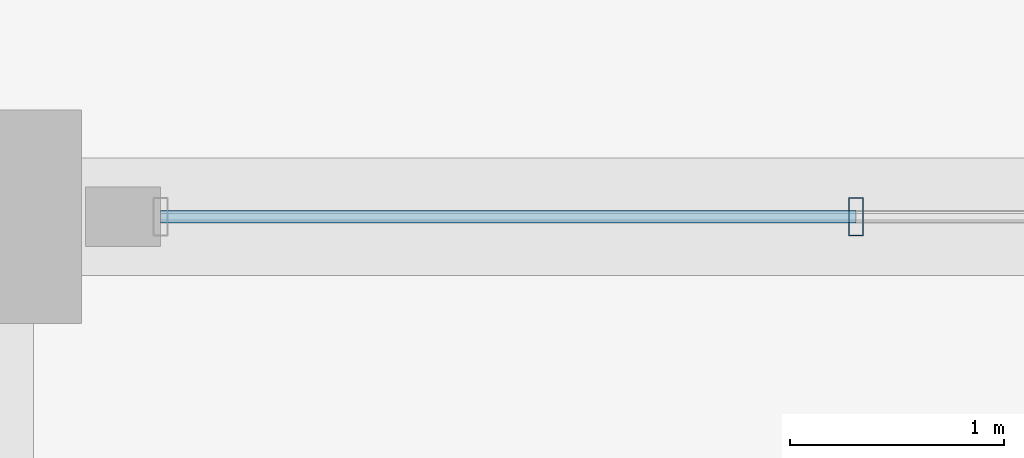
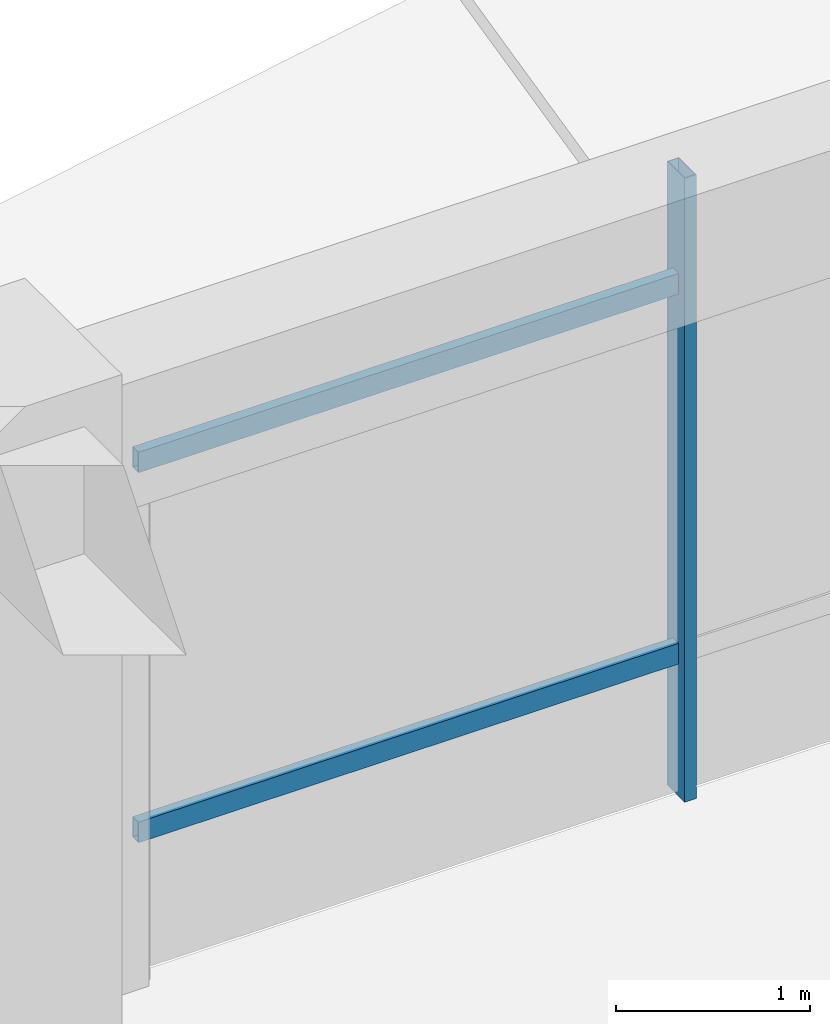
# One storey, part 60 of 98: 3 members, 1 element without a shape of its own.
"""IFC4 building model written with IfcOpenShell, lengths in metres."""

from ifc_helpers import new_model, si_unit, direction, frame, origin, origin_2d, place, context, subcontext, project, spatial, hollow_rectangle, extrude, material, material_profile, profile_set, type_object, element, aggregate, save


model = new_model("IFC4")

# Units and contexts
model_context = context("Model", 3, precision=1e-05, world=origin(), true_north=direction((0.0, 1.0)))
body_context = subcontext(model_context, "Body", "Model", "MODEL_VIEW")
ifc_project = project(units=[si_unit("LENGTHUNIT", "METRE"), si_unit("AREAUNIT", "SQUARE_METRE"), si_unit("VOLUMEUNIT", "CUBIC_METRE"), si_unit("PLANEANGLEUNIT", "RADIAN"), si_unit("MASSUNIT", "GRAM", prefix="KILO")], contexts=[model_context])

# Site, building, storey
site_placement = place(None, origin())
site = spatial("IfcSite", under=ifc_project, at=site_placement, CompositionType="ELEMENT")
building_placement = place(site_placement, origin())
building = spatial("IfcBuilding", under=site, at=building_placement, Name="Ologun Quay Terminus", CompositionType="ELEMENT")
storey_placement = place(building_placement, frame((0.0, 0.0, 4.199951171875)))
storey = spatial("IfcBuildingStorey", under=building, at=storey_placement, Name="L01", CompositionType="ELEMENT", Elevation=4.199951171875)

# Curtain wall, members
ifc_material_1 = material(Name="Aluminium 6063-T6", Category="aluminium")
curtain_wall_type = type_object("IfcCurtainWallType", Name="Waterfront Pavilion Harbour Curtain Wall L01 10500x3850", PredefinedType="USERDEFINED", material=ifc_material_1)
curtain_wall_placement = place(storey_placement, origin())
curtain_wall = element("IfcCurtainWall", 1, at=curtain_wall_placement, inside=storey, type_object=curtain_wall_type, Name="CW-23 Curtain Wall CW-L01-127", ObjectType="UNITISED CURTAIN WALL", PredefinedType="USERDEFINED")
ifc_material_2 = material(Name="Aluminium 6063-T6", Category="aluminium")
ifc_material_profile_1 = material_profile(ifc_material_2, hollow_rectangle(XDim=0.070068359375, YDim=0.179931640625, WallThickness=0.0048828125, at=origin_2d()), Name="ALU 180x70x5")
ifc_profile_set_1 = profile_set([ifc_material_profile_1], Name="Aluminium 6063-T6")
member_type_1 = type_object("IfcMemberType", Name="Curtain Wall Heavy Mullion 180x70", PredefinedType="MULLION", material=ifc_profile_set_1)
member_1_placement = place(storey_placement, frame((142.123291015625, 114.800048828125, 0.0), z_axis=(0.0, 0.0, 1.0), x_axis=(1.0, 0.0, 0.0)))
member_1 = element("IfcMember", 2, at=member_1_placement, type_object=member_type_1, Name="CW-L01-127 Mullion 2", PredefinedType="MULLION", context=body_context, shape_type="SweptSolid", body=[
    extrude(hollow_rectangle(XDim=0.070068359375, YDim=0.179931640625, WallThickness=0.0048828125, at=origin_2d()), origin(), (0.0, 0.0, 1.0), 3.929931640625),
])
ifc_material_3 = material(Name="Aluminium 6063-T6", Category="aluminium")
ifc_material_profile_2 = material_profile(ifc_material_3, hollow_rectangle(XDim=0.06005859375, YDim=0.1298828125, WallThickness=0.00390625, at=origin_2d()), Name="ALU 130x60x4")
ifc_profile_set_2 = profile_set([ifc_material_profile_2], Name="Aluminium 6063-T6")
member_type_2 = type_object("IfcMemberType", Name="Curtain Wall Heavy Transom 130x60", PredefinedType="USERDEFINED", material=ifc_profile_set_2)
member_2_placement = place(storey_placement, frame((138.8701171875, 114.800048828125, 0.900146484375), z_axis=(1.0, 0.0, 0.0), x_axis=(0.0, 1.0, 0.0)))
member_2 = element("IfcMember", 3, at=member_2_placement, type_object=member_type_2, Name="CW-L01-127 Transom B1-1", ObjectType="TRANSOM", PredefinedType="USERDEFINED", context=body_context, shape_type="SweptSolid", body=[
    extrude(hollow_rectangle(XDim=0.06005859375, YDim=0.1298828125, WallThickness=0.00390625, at=origin_2d()), origin(), (0.0, 0.0, 1.0), 3.253173828125),
])
member_3_placement = place(storey_placement, frame((138.8701171875, 114.800048828125, 3.22998046875), z_axis=(1.0, 0.0, 0.0), x_axis=(0.0, 1.0, 0.0)))
member_3 = element("IfcMember", 4, at=member_3_placement, type_object=member_type_2, Name="CW-L01-127 Transom B1-2", ObjectType="TRANSOM", PredefinedType="USERDEFINED", context=body_context, shape_type="SweptSolid", body=[
    extrude(hollow_rectangle(XDim=0.06005859375, YDim=0.1298828125, WallThickness=0.00390625, at=origin_2d()), origin(), (0.0, 0.0, 1.0), 3.253173828125),
])
aggregate(curtain_wall, [member_1, member_2, member_3])

save(model, "model.ifc")
